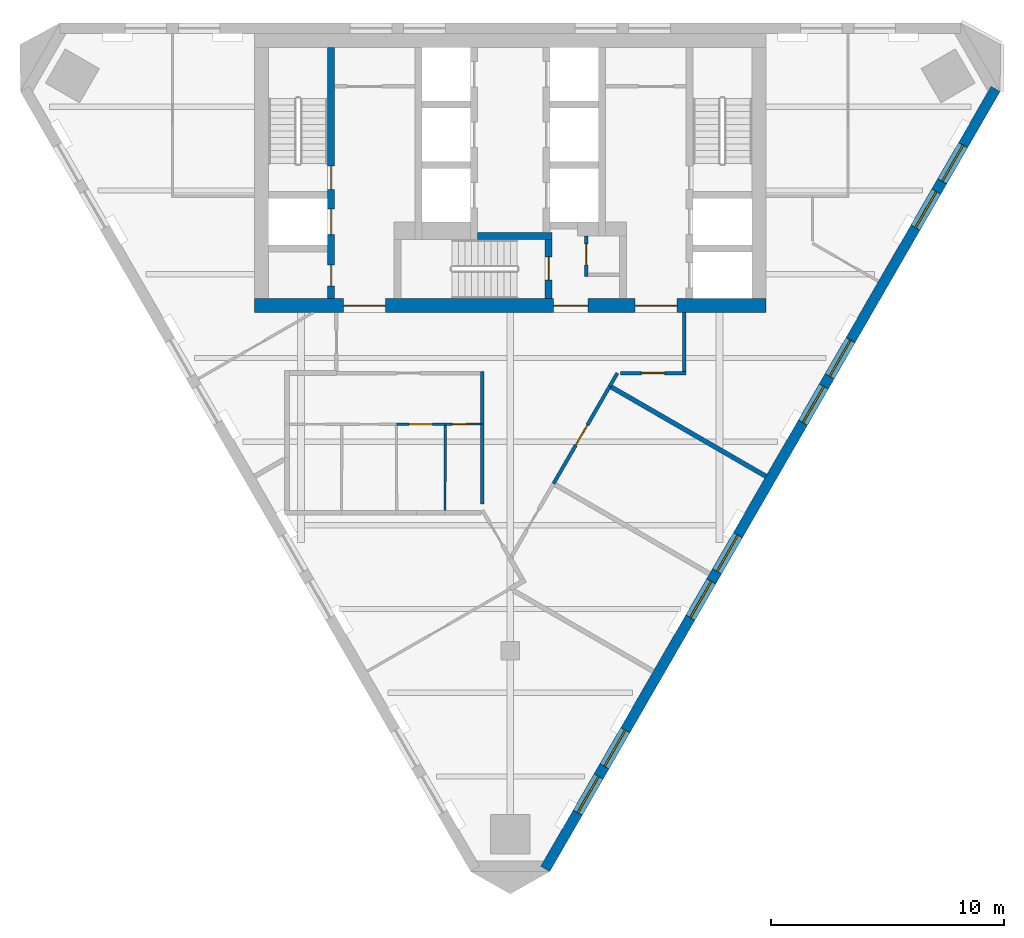
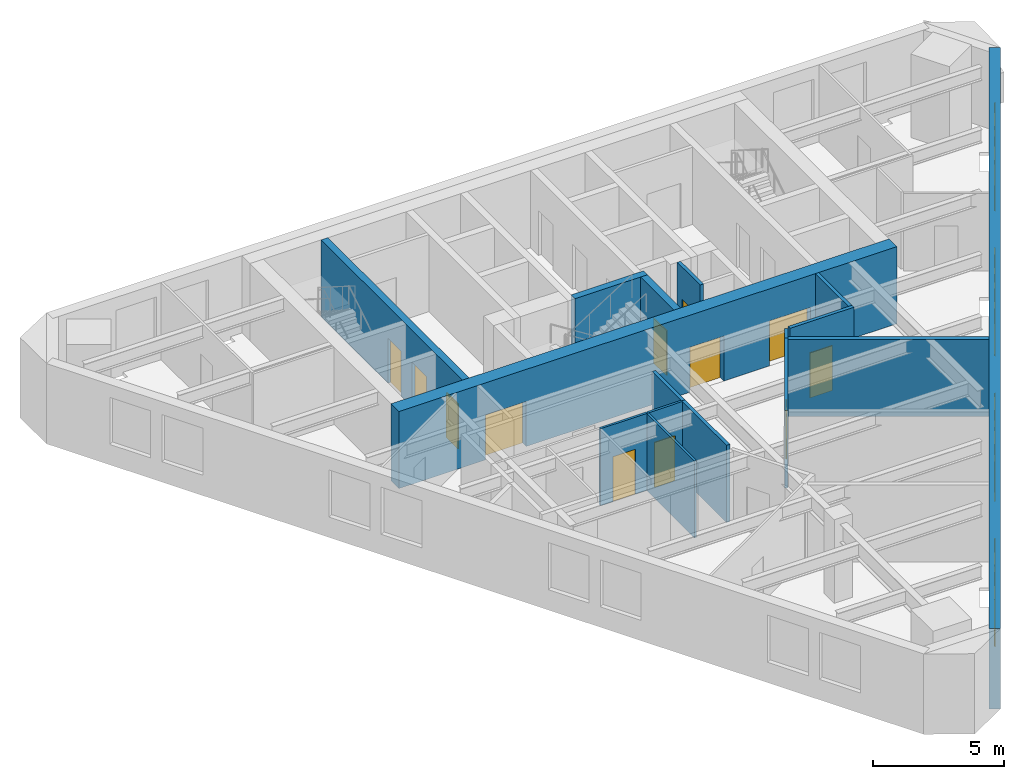
# One storey, part 3 of 6: 16 walls, 12 doors, 8 windows, 20 openings.
"""IFC4 building model written with IfcOpenShell, lengths in metres."""

from ifc_helpers import new_model, si_unit, direction, frame, frame_2d, origin, place, context, subcontext, project, spatial, polyline, rectangle, outline, extrude, material, layer, layer_set, type_object, element, fill, save


model = new_model("IFC4")

# Units and contexts
model_context = context("Model", 3, precision=1e-05, world=origin(), true_north=direction((0.0, 1.0)))
body_context = subcontext(model_context, "Body", "Model", "MODEL_VIEW")
ifc_project = project(units=[si_unit("LENGTHUNIT", "METRE"), si_unit("AREAUNIT", "SQUARE_METRE"), si_unit("VOLUMEUNIT", "CUBIC_METRE"), si_unit("PLANEANGLEUNIT", "RADIAN"), si_unit("MASSUNIT", "GRAM", prefix="KILO")], contexts=[model_context])

# Site, building, storey
site_placement = place(None, origin())
site = spatial("IfcSite", under=ifc_project, at=site_placement, CompositionType="ELEMENT")
building_placement = place(site_placement, origin())
building = spatial("IfcBuilding", under=site, at=building_placement, Name="Aloe Facet Convention Tower", CompositionType="ELEMENT")
storey_placement = place(building_placement, frame((0.0, 0.0, 223.10009765625)))
storey = spatial("IfcBuildingStorey", under=building, at=storey_placement, Name="L56", CompositionType="ELEMENT", Elevation=223.10009765625)

# Wall, opening, door
ifc_material_1 = material(Name="Concrete blockwork partition", Category="masonry")
ifc_layer_1 = layer(ifc_material_1, 0.14990234375)
ifc_layer_set_1 = layer_set([ifc_layer_1], Name="CR-W-PART150")
wall_type_1 = type_object("IfcWallType", Name="CR-W-PART150", PredefinedType="PARTITIONING", material=ifc_layer_set_1)
wall_1_placement = place(storey_placement, frame((83.27490234375, 125.85009765625, 0.0), z_axis=(0.0, 0.0, 1.0), x_axis=(0.0, -1.0, 0.0)))
wall_1 = element("IfcWall", 1, at=wall_1_placement, inside=storey, type_object=wall_type_1, Name="Core partition L56-022", PredefinedType="PARTITIONING", context=body_context, shape_type="SweptSolid", body=[
    extrude(rectangle(XDim=1.75, YDim=0.14990234375, at=frame_2d((0.875, 0.0))), origin(), (0.0, 0.0, 1.0), 3.599853515625),
])
opening_1_placement = place(wall_1_placement, frame((0.35009765625, 0.0, 0.0)))
opening_1 = element("IfcOpeningElement", 2, at=opening_1_placement, cuts=wall_1, Name="Opening L56-CD12", PredefinedType="OPENING", context=body_context, shape_type="SweptSolid", body=[
    extrude(rectangle(XDim=0.89990234375, YDim=2.10009765625, at=frame_2d((0.449951171875, 1.050048828125))), frame((0.0, 0.0849609375, 0.0), z_axis=(0.0, -1.0, 0.0), x_axis=(1.0, 0.0, 0.0)), (0.0, 0.0, 1.0), 0.169921875),
])
ifc_material_2 = material(Name="Steel fire-resisting door set FD60", Category="steel")
door_type_1 = type_object("IfcDoorType", Name="CR-D-REFUGE-900-FD60-SRIGHT", OperationType="SINGLE_SWING_RIGHT", PredefinedType="DOOR", material=ifc_material_2)
door_1_placement = place(opening_1_placement, origin())
door_1 = element("IfcDoor", 3, at=door_1_placement, inside=storey, type_object=door_type_1, Name="Core door L56-CD12", OperationType="SINGLE_SWING_RIGHT", OverallHeight=2.10009765625, OverallWidth=0.89990234375, PredefinedType="DOOR", context=body_context, shape_type="SweptSolid", body=[
    extrude(rectangle(XDim=0.89990234375, YDim=2.10009765625, at=frame_2d((0.449951171875, 1.050048828125))), frame((0.0, 0.02490234375, 0.0), z_axis=(0.0, -1.0, 0.0), x_axis=(1.0, 0.0, 0.0)), (0.0, 0.0, 1.0), 0.050048828125),
])
fill(opening_1, door_1)

# Wall, openings, doors
ifc_material_3 = material(Name="Concrete C50/60", Category="concrete")
ifc_layer_2 = layer(ifc_material_3, 0.300048828125)
ifc_layer_set_2 = layer_set([ifc_layer_2], Name="CR-W-RC300-C5060")
wall_type_2 = type_object("IfcWallType", Name="CR-W-RC300-C5060", PredefinedType="SOLIDWALL", material=ifc_layer_set_2)
wall_2_placement = place(storey_placement, frame((72.300048828125, 133.949951171875, 0.0), z_axis=(0.0, 0.0, 1.0), x_axis=(0.0, -1.0, 0.0)))
wall_2 = element("IfcWall", 4, at=wall_2_placement, inside=storey, type_object=wall_type_2, Name="Core wall L56-006", PredefinedType="SOLIDWALL", context=body_context, shape_type="SweptSolid", body=[
    extrude(rectangle(XDim=10.800048828125, YDim=0.300048828125, at=frame_2d((5.39990234375, 0.0))), origin(), (0.0, 0.0, 1.0), 3.599853515625),
])
opening_2_placement = place(wall_2_placement, frame((6.949951171875, 0.0, 0.0)))
opening_2 = element("IfcOpeningElement", 5, at=opening_2_placement, cuts=wall_2, Name="Opening LD-FF1-L56", PredefinedType="OPENING", context=body_context, shape_type="SweptSolid", body=[
    extrude(rectangle(XDim=1.10009765625, YDim=2.10009765625, at=frame_2d((0.550048828125, 1.050048828125))), frame((0.0, 0.16015625, 0.0), z_axis=(0.0, -1.0, 0.0), x_axis=(1.0, 0.0, 0.0)), (0.0, 0.0, 1.0), 0.320068359375),
])
opening_3_placement = place(wall_2_placement, frame((9.35009765625, 0.0, 0.0)))
opening_3 = element("IfcOpeningElement", 6, at=opening_3_placement, cuts=wall_2, Name="Opening L56-CD15", PredefinedType="OPENING", context=body_context, shape_type="SweptSolid", body=[
    extrude(rectangle(XDim=0.89990234375, YDim=2.10009765625, at=frame_2d((0.449951171875, 1.050048828125))), frame((0.0, 0.16015625, 0.0), z_axis=(0.0, -1.0, 0.0), x_axis=(1.0, 0.0, 0.0)), (0.0, 0.0, 1.0), 0.320068359375),
])
opening_4_placement = place(wall_2_placement, frame((5.10009765625, 0.0, 0.0)))
opening_4 = element("IfcOpeningElement", 7, at=opening_4_placement, cuts=wall_2, Name="Opening L56-CD16", PredefinedType="OPENING", context=body_context, shape_type="SweptSolid", body=[
    extrude(rectangle(XDim=1.0, YDim=2.10009765625, at=frame_2d((0.5, 1.050048828125))), frame((0.0, 0.16015625, 0.0), z_axis=(0.0, -1.0, 0.0), x_axis=(1.0, 0.0, 0.0)), (0.0, 0.0, 1.0), 0.320068359375),
])
ifc_material_4 = material(Name="Steel fire-resisting door set FD60", Category="steel")
door_type_2 = type_object("IfcDoorType", Name="CR-D-ROOM-900-FD60-SLEFT", OperationType="SINGLE_SWING_LEFT", PredefinedType="DOOR", material=ifc_material_4)
door_2_placement = place(opening_3_placement, origin())
door_2 = element("IfcDoor", 8, at=door_2_placement, inside=storey, type_object=door_type_2, Name="Core door L56-CD15", OperationType="SINGLE_SWING_LEFT", OverallHeight=2.10009765625, OverallWidth=0.89990234375, PredefinedType="DOOR", context=body_context, shape_type="SweptSolid", body=[
    extrude(rectangle(XDim=0.89990234375, YDim=2.10009765625, at=frame_2d((0.449951171875, 1.050048828125))), frame((0.0, 0.02490234375, 0.0), z_axis=(0.0, -1.0, 0.0), x_axis=(1.0, 0.0, 0.0)), (0.0, 0.0, 1.0), 0.050048828125),
])
fill(opening_3, door_2)
ifc_material_5 = material(Name="Steel fire-resisting door set FD120", Category="steel")
door_type_3 = type_object("IfcDoorType", Name="CR-D-STAIR-1000-FD120-SRIGHT", OperationType="SINGLE_SWING_RIGHT", PredefinedType="DOOR", material=ifc_material_5)
door_3_placement = place(opening_4_placement, origin())
door_3 = element("IfcDoor", 9, at=door_3_placement, inside=storey, type_object=door_type_3, Name="Core door L56-CD16", OperationType="SINGLE_SWING_RIGHT", OverallHeight=2.10009765625, OverallWidth=1.0, PredefinedType="DOOR", context=body_context, shape_type="SweptSolid", body=[
    extrude(rectangle(XDim=1.0, YDim=2.10009765625, at=frame_2d((0.5, 1.050048828125))), frame((0.0, 0.02490234375, 0.0), z_axis=(0.0, -1.0, 0.0), x_axis=(1.0, 0.0, 0.0)), (0.0, 0.0, 1.0), 0.050048828125),
])
fill(opening_4, door_3)
ifc_material_6 = material(Name="Stainless steel sliding landing door", Category="steel")
door_type_4 = type_object("IfcDoorType", Name="CR-LD-1100-FD120-_LEFT", OperationType="SLIDING_TO_LEFT", PredefinedType="DOOR", material=ifc_material_6)
door_4_placement = place(opening_2_placement, origin())
door_4 = element("IfcDoor", 10, at=door_4_placement, inside=storey, type_object=door_type_4, Name="Landing door FF1 L56", OperationType="SLIDING_TO_LEFT", OverallHeight=2.10009765625, OverallWidth=1.10009765625, PredefinedType="DOOR", context=body_context, shape_type="SweptSolid", body=[
    extrude(rectangle(XDim=1.10009765625, YDim=2.10009765625, at=frame_2d((0.550048828125, 1.050048828125))), frame((0.0, 0.02490234375, 0.0), z_axis=(0.0, -1.0, 0.0), x_axis=(1.0, 0.0, 0.0)), (0.0, 0.0, 1.0), 0.050048828125),
])
fill(opening_2, door_4)

# Wall
wall_3_placement = place(storey_placement, frame((78.60009765625, 125.85009765625, 0.0), z_axis=(0.0, 0.0, 1.0), x_axis=(1.0, 0.0, 0.0)))
element("IfcWall", 11, at=wall_3_placement, inside=storey, type_object=wall_type_2, Name="Core wall L56-015", PredefinedType="SOLIDWALL", context=body_context, shape_type="SweptSolid", body=[
    extrude(rectangle(XDim=3.199951171875, YDim=0.300048828125, at=frame_2d((1.60009765625, 0.0))), origin(), (0.0, 0.0, 1.0), 3.599853515625),
])

# Wall, opening, door
wall_4_placement = place(storey_placement, frame((81.64990234375, 125.699951171875, 0.0), z_axis=(0.0, 0.0, 1.0), x_axis=(0.0, -1.0, 0.0)))
wall_4 = element("IfcWall", 12, at=wall_4_placement, inside=storey, type_object=wall_type_2, Name="Core wall L56-017", PredefinedType="SOLIDWALL", context=body_context, shape_type="SweptSolid", body=[
    extrude(rectangle(XDim=2.550048828125, YDim=0.300048828125, at=frame_2d((1.27490234375, 0.0))), origin(), (0.0, 0.0, 1.0), 3.599853515625),
])
opening_5_placement = place(wall_4_placement, frame((0.75, 0.0, 0.0)))
opening_5 = element("IfcOpeningElement", 13, at=opening_5_placement, cuts=wall_4, Name="Opening L56-CD18", PredefinedType="OPENING", context=body_context, shape_type="SweptSolid", body=[
    extrude(rectangle(XDim=1.0, YDim=2.10009765625, at=frame_2d((0.5, 1.050048828125))), frame((0.0, 0.16015625, 0.0), z_axis=(0.0, -1.0, 0.0), x_axis=(1.0, 0.0, 0.0)), (0.0, 0.0, 1.0), 0.320068359375),
])
ifc_material_7 = material(Name="Steel fire-resisting door set FD120", Category="steel")
door_type_5 = type_object("IfcDoorType", Name="CR-D-STAIR-1000-FD120-SLEFT", OperationType="SINGLE_SWING_LEFT", PredefinedType="DOOR", material=ifc_material_7)
door_5_placement = place(opening_5_placement, origin())
door_5 = element("IfcDoor", 14, at=door_5_placement, inside=storey, type_object=door_type_5, Name="Core door L56-CD18", OperationType="SINGLE_SWING_LEFT", OverallHeight=2.10009765625, OverallWidth=1.0, PredefinedType="DOOR", context=body_context, shape_type="SweptSolid", body=[
    extrude(rectangle(XDim=1.0, YDim=2.10009765625, at=frame_2d((0.5, 1.050048828125))), frame((0.0, 0.02490234375, 0.0), z_axis=(0.0, -1.0, 0.0), x_axis=(1.0, 0.0, 0.0)), (0.0, 0.0, 1.0), 0.050048828125),
])
fill(opening_5, door_5)

# Wall, openings, doors
ifc_material_8 = material(Name="Concrete C50/60", Category="concrete")
ifc_layer_3 = layer(ifc_material_8, 0.60009765625)
ifc_layer_set_3 = layer_set([ifc_layer_3], Name="CR-W-RC600-C5060")
wall_type_3 = type_object("IfcWallType", Name="CR-W-RC600-C5060", PredefinedType="SOLIDWALL", material=ifc_layer_set_3)
wall_5_placement = place(storey_placement, frame((69.0, 122.85009765625, 0.0), z_axis=(0.0, 0.0, 1.0), x_axis=(1.0, 0.0, 0.0)))
wall_5 = element("IfcWall", 15, at=wall_5_placement, inside=storey, type_object=wall_type_3, Name="Core wall L56-003", PredefinedType="SOLIDWALL", context=body_context, shape_type="SweptSolid", body=[
    extrude(rectangle(XDim=22.0, YDim=0.60009765625, at=frame_2d((11.0, 0.0))), origin(), (0.0, 0.0, 1.0), 3.599853515625),
])
opening_6_placement = place(wall_5_placement, frame((16.375, 0.0, 0.0)))
opening_6 = element("IfcOpeningElement", 16, at=opening_6_placement, cuts=wall_5, Name="Opening L56-CD09", PredefinedType="OPENING", context=body_context, shape_type="SweptSolid", body=[
    extrude(rectangle(XDim=1.800048828125, YDim=2.10009765625, at=frame_2d((0.89990234375, 1.050048828125))), frame((0.0, 0.31005859375, 0.0), z_axis=(0.0, -1.0, 0.0), x_axis=(1.0, 0.0, 0.0)), (0.0, 0.0, 1.0), 0.6201171875),
])
opening_7_placement = place(wall_5_placement, frame((3.824951171875, 0.0, 0.0)))
opening_7 = element("IfcOpeningElement", 17, at=opening_7_placement, cuts=wall_5, Name="Opening L56-CD10", PredefinedType="OPENING", context=body_context, shape_type="SweptSolid", body=[
    extrude(rectangle(XDim=1.800048828125, YDim=2.10009765625, at=frame_2d((0.89990234375, 1.050048828125))), frame((0.0, 0.31005859375, 0.0), z_axis=(0.0, -1.0, 0.0), x_axis=(1.0, 0.0, 0.0)), (0.0, 0.0, 1.0), 0.6201171875),
])
opening_8_placement = place(wall_5_placement, frame((12.85009765625, 0.0, 0.0)))
opening_8 = element("IfcOpeningElement", 18, at=opening_8_placement, cuts=wall_5, Name="Opening L56-CD11", PredefinedType="OPENING", context=body_context, shape_type="SweptSolid", body=[
    extrude(rectangle(XDim=1.5, YDim=2.10009765625, at=frame_2d((0.75, 1.050048828125))), frame((0.0, 0.31005859375, 0.0), z_axis=(0.0, -1.0, 0.0), x_axis=(1.0, 0.0, 0.0)), (0.0, 0.0, 1.0), 0.6201171875),
])
ifc_material_9 = material(Name="Steel fire-resisting door set FD60", Category="steel")
door_type_6 = type_object("IfcDoorType", Name="CR-D-EXIT-1500-FD60-DD", OperationType="DOUBLE_DOOR_DOUBLE_SWING", PredefinedType="DOOR", material=ifc_material_9)
door_6_placement = place(opening_8_placement, origin())
door_6 = element("IfcDoor", 19, at=door_6_placement, inside=storey, type_object=door_type_6, Name="Core door L56-CD11", OperationType="DOUBLE_DOOR_DOUBLE_SWING", OverallHeight=2.10009765625, OverallWidth=1.5, PredefinedType="DOOR", context=body_context, shape_type="SweptSolid", body=[
    extrude(rectangle(XDim=1.5, YDim=2.10009765625, at=frame_2d((0.75, 1.050048828125))), frame((0.0, 0.02490234375, 0.0), z_axis=(0.0, -1.0, 0.0), x_axis=(1.0, 0.0, 0.0)), (0.0, 0.0, 1.0), 0.050048828125),
])
fill(opening_8, door_6)
ifc_material_10 = material(Name="Steel fire-resisting door set FD120", Category="steel")
door_type_7 = type_object("IfcDoorType", Name="CR-D-EXIT-1800-FD120-DD", OperationType="DOUBLE_DOOR_DOUBLE_SWING", PredefinedType="DOOR", material=ifc_material_10)
door_7_placement = place(opening_6_placement, origin())
door_7 = element("IfcDoor", 20, at=door_7_placement, inside=storey, type_object=door_type_7, Name="Core door L56-CD09", OperationType="DOUBLE_DOOR_DOUBLE_SWING", OverallHeight=2.10009765625, OverallWidth=1.800048828125, PredefinedType="DOOR", context=body_context, shape_type="SweptSolid", body=[
    extrude(rectangle(XDim=1.800048828125, YDim=2.10009765625, at=frame_2d((0.89990234375, 1.050048828125))), frame((0.0, 0.02490234375, 0.0), z_axis=(0.0, -1.0, 0.0), x_axis=(1.0, 0.0, 0.0)), (0.0, 0.0, 1.0), 0.050048828125),
])
fill(opening_6, door_7)
door_8_placement = place(opening_7_placement, origin())
door_8 = element("IfcDoor", 21, at=door_8_placement, inside=storey, type_object=door_type_7, Name="Core door L56-CD10", OperationType="DOUBLE_DOOR_DOUBLE_SWING", OverallHeight=2.10009765625, OverallWidth=1.800048828125, PredefinedType="DOOR", context=body_context, shape_type="SweptSolid", body=[
    extrude(rectangle(XDim=1.800048828125, YDim=2.10009765625, at=frame_2d((0.89990234375, 1.050048828125))), frame((0.0, 0.02490234375, 0.0), z_axis=(0.0, -1.0, 0.0), x_axis=(1.0, 0.0, 0.0)), (0.0, 0.0, 1.0), 0.050048828125),
])
fill(opening_7, door_8)

# Wall, openings, windows
ifc_material_11 = material(Name="Precast concrete C40/50", Category="concrete")
ifc_layer_4 = layer(ifc_material_11, 0.449951171875)
ifc_layer_set_4 = layer_set([ifc_layer_4], Name="EV-WALL-STONE")
wall_type_4 = type_object("IfcWallType", Name="EV-WALL-STONE", PredefinedType="SOLIDWALL", material=ifc_layer_set_4)
wall_6_placement = place(storey_placement, frame((81.505126953125, 98.62744140625, -0.150146484375), z_axis=(0.0, 0.0, 1.0), x_axis=(0.500002199942, 0.866024133644, 0.0)))
wall_6 = element("IfcWall", 22, at=wall_6_placement, inside=storey, type_object=wall_type_4, Name="EW-L56-E01", PredefinedType="SOLIDWALL", context=body_context, shape_type="SweptSolid", body=[
    extrude(outline(polyline([(38.729248046875, 0.0), (38.729248046875, 3.75), (0.0, 3.75), (0.0, 0.0), (38.729248046875, 0.0)])), frame((0.0, 0.22509765625, 0.0), z_axis=(0.0, -1.0, 0.0), x_axis=(1.0, 0.0, 0.0)), (0.0, 0.0, 1.0), 0.449951171875),
])
opening_9_placement = place(wall_6_placement, frame((2.791259765625, 0.0, 0.949951171875)))
opening_9 = element("IfcOpeningElement", 23, at=opening_9_placement, cuts=wall_6, Name="Opening W-L56-E01", PredefinedType="OPENING", context=body_context, shape_type="SweptSolid", body=[
    extrude(rectangle(XDim=1.800048828125, YDim=2.199951171875, at=frame_2d((0.89990234375, 1.10009765625))), frame((0.0, 0.23486328125, 0.0), z_axis=(0.0, -1.0, 0.0), x_axis=(1.0, 0.0, 0.0)), (0.0, 0.0, 1.0), 0.469970703125),
])
opening_10_placement = place(wall_6_placement, frame((5.091064453125, 0.0, 0.949951171875)))
opening_10 = element("IfcOpeningElement", 24, at=opening_10_placement, cuts=wall_6, Name="Opening W-L56-E02", PredefinedType="OPENING", context=body_context, shape_type="SweptSolid", body=[
    extrude(rectangle(XDim=1.800048828125, YDim=2.199951171875, at=frame_2d((0.89990234375, 1.10009765625))), frame((0.0, 0.23486328125, 0.0), z_axis=(0.0, -1.0, 0.0), x_axis=(1.0, 0.0, 0.0)), (0.0, 0.0, 1.0), 0.469970703125),
])
opening_11_placement = place(wall_6_placement, frame((12.473388671875, 0.0, 0.949951171875)))
opening_11 = element("IfcOpeningElement", 25, at=opening_11_placement, cuts=wall_6, Name="Opening W-L56-E03", PredefinedType="OPENING", context=body_context, shape_type="SweptSolid", body=[
    extrude(rectangle(XDim=1.800048828125, YDim=2.199951171875, at=frame_2d((0.89990234375, 1.10009765625))), frame((0.0, 0.23486328125, 0.0), z_axis=(0.0, -1.0, 0.0), x_axis=(1.0, 0.0, 0.0)), (0.0, 0.0, 1.0), 0.469970703125),
])
opening_12_placement = place(wall_6_placement, frame((14.7734375, 0.0, 0.949951171875)))
opening_12 = element("IfcOpeningElement", 26, at=opening_12_placement, cuts=wall_6, Name="Opening W-L56-E04", PredefinedType="OPENING", context=body_context, shape_type="SweptSolid", body=[
    extrude(rectangle(XDim=1.800048828125, YDim=2.199951171875, at=frame_2d((0.89990234375, 1.10009765625))), frame((0.0, 0.23486328125, 0.0), z_axis=(0.0, -1.0, 0.0), x_axis=(1.0, 0.0, 0.0)), (0.0, 0.0, 1.0), 0.469970703125),
])
opening_13_placement = place(wall_6_placement, frame((22.15576171875, 0.0, 0.949951171875)))
opening_13 = element("IfcOpeningElement", 27, at=opening_13_placement, cuts=wall_6, Name="Opening W-L56-E05", PredefinedType="OPENING", context=body_context, shape_type="SweptSolid", body=[
    extrude(rectangle(XDim=1.800048828125, YDim=2.199951171875, at=frame_2d((0.89990234375, 1.10009765625))), frame((0.0, 0.23486328125, 0.0), z_axis=(0.0, -1.0, 0.0), x_axis=(1.0, 0.0, 0.0)), (0.0, 0.0, 1.0), 0.469970703125),
])
opening_14_placement = place(wall_6_placement, frame((24.455810546875, 0.0, 0.949951171875)))
opening_14 = element("IfcOpeningElement", 28, at=opening_14_placement, cuts=wall_6, Name="Opening W-L56-E06", PredefinedType="OPENING", context=body_context, shape_type="SweptSolid", body=[
    extrude(rectangle(XDim=1.800048828125, YDim=2.199951171875, at=frame_2d((0.89990234375, 1.10009765625))), frame((0.0, 0.23486328125, 0.0), z_axis=(0.0, -1.0, 0.0), x_axis=(1.0, 0.0, 0.0)), (0.0, 0.0, 1.0), 0.469970703125),
])
opening_15_placement = place(wall_6_placement, frame((31.838134765625, 0.0, 0.949951171875)))
opening_15 = element("IfcOpeningElement", 29, at=opening_15_placement, cuts=wall_6, Name="Opening W-L56-E07", PredefinedType="OPENING", context=body_context, shape_type="SweptSolid", body=[
    extrude(rectangle(XDim=1.800048828125, YDim=2.199951171875, at=frame_2d((0.89990234375, 1.10009765625))), frame((0.0, 0.23486328125, 0.0), z_axis=(0.0, -1.0, 0.0), x_axis=(1.0, 0.0, 0.0)), (0.0, 0.0, 1.0), 0.469970703125),
])
opening_16_placement = place(wall_6_placement, frame((34.13818359375, 0.0, 0.949951171875)))
opening_16 = element("IfcOpeningElement", 30, at=opening_16_placement, cuts=wall_6, Name="Opening W-L56-E08", PredefinedType="OPENING", context=body_context, shape_type="SweptSolid", body=[
    extrude(rectangle(XDim=1.800048828125, YDim=2.199951171875, at=frame_2d((0.89990234375, 1.10009765625))), frame((0.0, 0.23486328125, 0.0), z_axis=(0.0, -1.0, 0.0), x_axis=(1.0, 0.0, 0.0)), (0.0, 0.0, 1.0), 0.469970703125),
])
ifc_material_12 = material(Name="Aluminium frame, clear double glazing", Category="aluminium")
window_type = type_object("IfcWindowType", Name="EV-WIN-O18", PartitioningType="SINGLE_PANEL", PredefinedType="WINDOW", material=ifc_material_12)
window_1_placement = place(opening_9_placement, origin())
window_1 = element("IfcWindow", 31, at=window_1_placement, inside=storey, type_object=window_type, Name="W-L56-E01", OverallHeight=2.199951171875, OverallWidth=1.800048828125, PartitioningType="SINGLE_PANEL", PredefinedType="WINDOW", context=body_context, shape_type="SweptSolid", body=[
    extrude(rectangle(XDim=1.800048828125, YDim=2.199951171875, at=frame_2d((0.89990234375, 1.10009765625))), frame((0.0, 0.030029296875, 0.0), z_axis=(0.0, -1.0, 0.0), x_axis=(1.0, 0.0, 0.0)), (0.0, 0.0, 1.0), 0.06005859375),
])
fill(opening_9, window_1)
window_2_placement = place(opening_10_placement, origin())
window_2 = element("IfcWindow", 32, at=window_2_placement, inside=storey, type_object=window_type, Name="W-L56-E02", OverallHeight=2.199951171875, OverallWidth=1.800048828125, PartitioningType="SINGLE_PANEL", PredefinedType="WINDOW", context=body_context, shape_type="SweptSolid", body=[
    extrude(rectangle(XDim=1.800048828125, YDim=2.199951171875, at=frame_2d((0.89990234375, 1.10009765625))), frame((0.0, 0.030029296875, 0.0), z_axis=(0.0, -1.0, 0.0), x_axis=(1.0, 0.0, 0.0)), (0.0, 0.0, 1.0), 0.06005859375),
])
fill(opening_10, window_2)
window_3_placement = place(opening_11_placement, origin())
window_3 = element("IfcWindow", 33, at=window_3_placement, inside=storey, type_object=window_type, Name="W-L56-E03", OverallHeight=2.199951171875, OverallWidth=1.800048828125, PartitioningType="SINGLE_PANEL", PredefinedType="WINDOW", context=body_context, shape_type="SweptSolid", body=[
    extrude(rectangle(XDim=1.800048828125, YDim=2.199951171875, at=frame_2d((0.89990234375, 1.10009765625))), frame((0.0, 0.030029296875, 0.0), z_axis=(0.0, -1.0, 0.0), x_axis=(1.0, 0.0, 0.0)), (0.0, 0.0, 1.0), 0.06005859375),
])
fill(opening_11, window_3)
window_4_placement = place(opening_12_placement, origin())
window_4 = element("IfcWindow", 34, at=window_4_placement, inside=storey, type_object=window_type, Name="W-L56-E04", OverallHeight=2.199951171875, OverallWidth=1.800048828125, PartitioningType="SINGLE_PANEL", PredefinedType="WINDOW", context=body_context, shape_type="SweptSolid", body=[
    extrude(rectangle(XDim=1.800048828125, YDim=2.199951171875, at=frame_2d((0.89990234375, 1.10009765625))), frame((0.0, 0.030029296875, 0.0), z_axis=(0.0, -1.0, 0.0), x_axis=(1.0, 0.0, 0.0)), (0.0, 0.0, 1.0), 0.06005859375),
])
fill(opening_12, window_4)
window_5_placement = place(opening_13_placement, origin())
window_5 = element("IfcWindow", 35, at=window_5_placement, inside=storey, type_object=window_type, Name="W-L56-E05", OverallHeight=2.199951171875, OverallWidth=1.800048828125, PartitioningType="SINGLE_PANEL", PredefinedType="WINDOW", context=body_context, shape_type="SweptSolid", body=[
    extrude(rectangle(XDim=1.800048828125, YDim=2.199951171875, at=frame_2d((0.89990234375, 1.10009765625))), frame((0.0, 0.030029296875, 0.0), z_axis=(0.0, -1.0, 0.0), x_axis=(1.0, 0.0, 0.0)), (0.0, 0.0, 1.0), 0.06005859375),
])
fill(opening_13, window_5)
window_6_placement = place(opening_14_placement, origin())
window_6 = element("IfcWindow", 36, at=window_6_placement, inside=storey, type_object=window_type, Name="W-L56-E06", OverallHeight=2.199951171875, OverallWidth=1.800048828125, PartitioningType="SINGLE_PANEL", PredefinedType="WINDOW", context=body_context, shape_type="SweptSolid", body=[
    extrude(rectangle(XDim=1.800048828125, YDim=2.199951171875, at=frame_2d((0.89990234375, 1.10009765625))), frame((0.0, 0.030029296875, 0.0), z_axis=(0.0, -1.0, 0.0), x_axis=(1.0, 0.0, 0.0)), (0.0, 0.0, 1.0), 0.06005859375),
])
fill(opening_14, window_6)
window_7_placement = place(opening_15_placement, origin())
window_7 = element("IfcWindow", 37, at=window_7_placement, inside=storey, type_object=window_type, Name="W-L56-E07", OverallHeight=2.199951171875, OverallWidth=1.800048828125, PartitioningType="SINGLE_PANEL", PredefinedType="WINDOW", context=body_context, shape_type="SweptSolid", body=[
    extrude(rectangle(XDim=1.800048828125, YDim=2.199951171875, at=frame_2d((0.89990234375, 1.10009765625))), frame((0.0, 0.030029296875, 0.0), z_axis=(0.0, -1.0, 0.0), x_axis=(1.0, 0.0, 0.0)), (0.0, 0.0, 1.0), 0.06005859375),
])
fill(opening_15, window_7)
window_8_placement = place(opening_16_placement, origin())
window_8 = element("IfcWindow", 38, at=window_8_placement, inside=storey, type_object=window_type, Name="W-L56-E08", OverallHeight=2.199951171875, OverallWidth=1.800048828125, PartitioningType="SINGLE_PANEL", PredefinedType="WINDOW", context=body_context, shape_type="SweptSolid", body=[
    extrude(rectangle(XDim=1.800048828125, YDim=2.199951171875, at=frame_2d((0.89990234375, 1.10009765625))), frame((0.0, 0.030029296875, 0.0), z_axis=(0.0, -1.0, 0.0), x_axis=(1.0, 0.0, 0.0)), (0.0, 0.0, 1.0), 0.06005859375),
])
fill(opening_16, window_8)

# Walls
ifc_material_13 = material(Name="Gypsum board partition on steel studs", Category="steel")
ifc_layer_5 = layer(ifc_material_13, 0.14990234375)
ifc_layer_set_5 = layer_set([ifc_layer_5], Name="IN-W-CORR")
wall_type_5 = type_object("IfcWallType", Name="IN-W-CORR", PredefinedType="PARTITIONING", material=ifc_layer_set_5)
wall_7_placement = place(storey_placement, frame((78.800048828125, 114.328857421875, 0.0), z_axis=(0.0, 0.0, 1.0), x_axis=(0.0, 1.0, 0.0)))
element("IfcWall", 39, at=wall_7_placement, inside=storey, type_object=wall_type_5, Name="Partition L56-W013", PredefinedType="PARTITIONING", context=body_context, shape_type="SweptSolid", body=[
    extrude(rectangle(XDim=3.43115234375, YDim=0.14990234375, at=frame_2d((1.715576171875, 0.0))), origin(), (0.0, 0.0, 1.0), 3.599853515625),
])
wall_8_placement = place(storey_placement, frame((78.800048828125, 117.760009765625, 0.0), z_axis=(0.0, 0.0, 1.0), x_axis=(0.0, 1.0, 0.0)))
element("IfcWall", 40, at=wall_8_placement, inside=storey, type_object=wall_type_5, Name="Partition L56-W018", PredefinedType="PARTITIONING", context=body_context, shape_type="SweptSolid", body=[
    extrude(rectangle(XDim=2.262939453125, YDim=0.14990234375, at=frame_2d((1.13134765625, 0.0))), origin(), (0.0, 0.0, 1.0), 3.599853515625),
])

# Wall, opening, door
wall_9_placement = place(storey_placement, frame((81.8603515625, 115.192626953125, 0.0), z_axis=(0.0, 0.0, 1.0), x_axis=(0.500006196252, 0.866021826347, 0.0)))
wall_9 = element("IfcWall", 41, at=wall_9_placement, inside=storey, type_object=wall_type_5, Name="Partition L56-W027", PredefinedType="PARTITIONING", context=body_context, shape_type="SweptSolid", body=[
    extrude(rectangle(XDim=4.84130859375, YDim=0.14990234375, at=frame_2d((2.420654296875, 0.0))), origin(), (0.0, 0.0, 1.0), 3.599853515625),
])
opening_17_placement = place(wall_9_placement, frame((1.920654296875, 0.0, 0.0)))
opening_17 = element("IfcOpeningElement", 42, at=opening_17_placement, cuts=wall_9, Name="Opening L56-012", PredefinedType="OPENING", context=body_context, shape_type="SweptSolid", body=[
    extrude(rectangle(XDim=1.0, YDim=2.10009765625, at=frame_2d((0.5, 1.050048828125))), frame((0.0, 0.0849609375, 0.0), z_axis=(0.0, -1.0, 0.0), x_axis=(1.0, 0.0, 0.0)), (0.0, 0.0, 1.0), 0.169921875),
])
ifc_material_14 = material(Name="Timber door FD30S with vision panel", Category="wood")
door_type_8 = type_object("IfcDoorType", Name="IN-OFF-D-ENTRY", OperationType="SINGLE_SWING_LEFT", PredefinedType="DOOR", material=ifc_material_14)
door_9_placement = place(opening_17_placement, origin())
door_9 = element("IfcDoor", 43, at=door_9_placement, inside=storey, type_object=door_type_8, Name="Door L56-012", OperationType="SINGLE_SWING_LEFT", OverallHeight=2.10009765625, OverallWidth=1.0, PredefinedType="DOOR", context=body_context, shape_type="SweptSolid", body=[
    extrude(rectangle(XDim=1.0, YDim=2.10009765625, at=frame_2d((0.5, 1.050048828125))), frame((0.0, 0.02490234375, 0.0), z_axis=(0.0, -1.0, 0.0), x_axis=(1.0, 0.0, 0.0)), (0.0, 0.0, 1.0), 0.050048828125),
])
fill(opening_17, door_9)

# Wall
wall_10_placement = place(storey_placement, frame((84.281005859375, 119.38525390625, 0.0), z_axis=(0.0, 0.0, 1.0), x_axis=(0.499971370958, 0.866041932139, 0.0)))
element("IfcWall", 44, at=wall_10_placement, inside=storey, type_object=wall_type_5, Name="Partition L56-W029", PredefinedType="PARTITIONING", context=body_context, shape_type="SweptSolid", body=[
    extrude(rectangle(XDim=0.65087890625, YDim=0.14990234375, at=frame_2d((0.325439453125, 0.0))), origin(), (0.0, 0.0, 1.0), 3.599853515625),
])

# Wall, opening, door
wall_11_placement = place(storey_placement, frame((84.736328125, 119.948974609375, 0.0), z_axis=(0.0, 0.0, 1.0), x_axis=(0.999999939771, 0.000347071563, 0.0)))
wall_11 = element("IfcWall", 45, at=wall_11_placement, inside=storey, type_object=wall_type_5, Name="Partition L56-W034", PredefinedType="PARTITIONING", context=body_context, shape_type="SweptSolid", body=[
    extrude(rectangle(XDim=2.813720703125, YDim=0.14990234375, at=frame_2d((1.40673828125, 0.0))), origin(), (0.0, 0.0, 1.0), 3.599853515625),
])
opening_18_placement = place(wall_11_placement, frame((0.90673828125, 0.0, 0.0)))
opening_18 = element("IfcOpeningElement", 46, at=opening_18_placement, cuts=wall_11, Name="Opening L56-013", PredefinedType="OPENING", context=body_context, shape_type="SweptSolid", body=[
    extrude(rectangle(XDim=1.0, YDim=2.10009765625, at=frame_2d((0.5, 1.050048828125))), frame((0.0, 0.0849609375, 0.0), z_axis=(0.0, -1.0, 0.0), x_axis=(1.0, 0.0, 0.0)), (0.0, 0.0, 1.0), 0.169921875),
])
door_10_placement = place(opening_18_placement, origin())
door_10 = element("IfcDoor", 47, at=door_10_placement, inside=storey, type_object=door_type_8, Name="Door L56-013", OperationType="SINGLE_SWING_LEFT", OverallHeight=2.10009765625, OverallWidth=1.0, PredefinedType="DOOR", context=body_context, shape_type="SweptSolid", body=[
    extrude(rectangle(XDim=1.0, YDim=2.10009765625, at=frame_2d((0.5, 1.050048828125))), frame((0.0, 0.02490234375, 0.0), z_axis=(0.0, -1.0, 0.0), x_axis=(1.0, 0.0, 0.0)), (0.0, 0.0, 1.0), 0.050048828125),
])
fill(opening_18, door_10)

# Walls
wall_12_placement = place(storey_placement, frame((87.474853515625, 120.02490234375, 0.0), z_axis=(0.0, 0.0, 1.0), x_axis=(9.6683747e-05, 0.999999995326, 0.0)))
element("IfcWall", 48, at=wall_12_placement, inside=storey, type_object=wall_type_5, Name="Partition L56-W035", PredefinedType="PARTITIONING", context=body_context, shape_type="SweptSolid", body=[
    extrude(rectangle(XDim=2.525146484375, YDim=0.14990234375, at=frame_2d((1.2626953125, 0.0))), origin(), (0.0, 0.0, 1.0), 3.599853515625),
])
ifc_material_15 = material(Name="Gypsum board partition on steel studs", Category="steel")
ifc_layer_6 = layer(ifc_material_15, 0.10009765625)
ifc_layer_set_6 = layer_set([ifc_layer_6], Name="IN-W-PART")
wall_type_6 = type_object("IfcWallType", Name="IN-W-PART", PredefinedType="PARTITIONING", material=ifc_layer_set_6)
wall_13_placement = place(storey_placement, frame((77.1943359375, 114.050048828125, 0.0), z_axis=(0.0, 0.0, 1.0), x_axis=(0.002608686776, 0.999996597371, 0.0)))
element("IfcWall", 49, at=wall_13_placement, inside=storey, type_object=wall_type_6, Name="Partition L56-W023", PredefinedType="PARTITIONING", context=body_context, shape_type="SweptSolid", body=[
    extrude(rectangle(XDim=3.64990234375, YDim=0.10009765625, at=frame_2d((1.824951171875, 0.0))), origin(), (0.0, 0.0, 1.0), 3.599853515625),
])

# Wall, opening, door
wall_14_placement = place(storey_placement, frame((75.10400390625, 117.75, 0.0), z_axis=(0.0, 0.0, 1.0), x_axis=(1.0, 0.0, 0.0)))
wall_14 = element("IfcWall", 50, at=wall_14_placement, inside=storey, type_object=wall_type_6, Name="Partition L56-W024", PredefinedType="PARTITIONING", context=body_context, shape_type="SweptSolid", body=[
    extrude(rectangle(XDim=2.10009765625, YDim=0.10009765625, at=frame_2d((1.050048828125, 0.0))), origin(), (0.0, 0.0, 1.0), 3.599853515625),
])
opening_19_placement = place(wall_14_placement, frame((0.550048828125, 0.0, 0.0)))
opening_19 = element("IfcOpeningElement", 51, at=opening_19_placement, cuts=wall_14, Name="Opening L56-004", PredefinedType="OPENING", context=body_context, shape_type="SweptSolid", body=[
    extrude(rectangle(XDim=1.0, YDim=2.10009765625, at=frame_2d((0.5, 1.050048828125))), frame((0.0, 0.06005859375, 0.0), z_axis=(0.0, -1.0, 0.0), x_axis=(1.0, 0.0, 0.0)), (0.0, 0.0, 1.0), 0.1201171875),
])
ifc_material_16 = material(Name="Timber door", Category="wood")
door_type_9 = type_object("IfcDoorType", Name="IN-OFF-D-WIDE", OperationType="SINGLE_SWING_LEFT", PredefinedType="DOOR", material=ifc_material_16)
door_11_placement = place(opening_19_placement, origin())
door_11 = element("IfcDoor", 52, at=door_11_placement, inside=storey, type_object=door_type_9, Name="Door L56-004", OperationType="SINGLE_SWING_LEFT", OverallHeight=2.10009765625, OverallWidth=1.0, PredefinedType="DOOR", context=body_context, shape_type="SweptSolid", body=[
    extrude(rectangle(XDim=1.0, YDim=2.10009765625, at=frame_2d((0.5, 1.050048828125))), frame((0.0, 0.02490234375, 0.0), z_axis=(0.0, -1.0, 0.0), x_axis=(1.0, 0.0, 0.0)), (0.0, 0.0, 1.0), 0.050048828125),
])
fill(opening_19, door_11)

wall_15_placement = place(storey_placement, frame((77.2041015625, 117.75, 0.0), z_axis=(0.0, 0.0, 1.0), x_axis=(0.999980406575, 0.006259909447, 0.0)))
wall_15 = element("IfcWall", 53, at=wall_15_placement, inside=storey, type_object=wall_type_6, Name="Partition L56-W025", PredefinedType="PARTITIONING", context=body_context, shape_type="SweptSolid", body=[
    extrude(rectangle(XDim=1.52099609375, YDim=0.10009765625, at=frame_2d((0.760498046875, 0.0))), origin(), (0.0, 0.0, 1.0), 3.599853515625),
])
opening_20_placement = place(wall_15_placement, frame((0.310546875, 0.0, 0.0)))
opening_20 = element("IfcOpeningElement", 54, at=opening_20_placement, cuts=wall_15, Name="Opening L56-005", PredefinedType="OPENING", context=body_context, shape_type="SweptSolid", body=[
    extrude(rectangle(XDim=0.89990234375, YDim=2.10009765625, at=frame_2d((0.449951171875, 1.050048828125))), frame((0.0, 0.06005859375, 0.0), z_axis=(0.0, -1.0, 0.0), x_axis=(1.0, 0.0, 0.0)), (0.0, 0.0, 1.0), 0.1201171875),
])
ifc_material_17 = material(Name="Timber door", Category="wood")
door_type_10 = type_object("IfcDoorType", Name="IN-OFF-D-ROOM", OperationType="SINGLE_SWING_LEFT", PredefinedType="DOOR", material=ifc_material_17)
door_12_placement = place(opening_20_placement, origin())
door_12 = element("IfcDoor", 55, at=door_12_placement, inside=storey, type_object=door_type_10, Name="Door L56-005", OperationType="SINGLE_SWING_LEFT", OverallHeight=2.10009765625, OverallWidth=0.89990234375, PredefinedType="DOOR", context=body_context, shape_type="SweptSolid", body=[
    extrude(rectangle(XDim=0.89990234375, YDim=2.10009765625, at=frame_2d((0.449951171875, 1.050048828125))), frame((0.0, 0.02490234375, 0.0), z_axis=(0.0, -1.0, 0.0), x_axis=(1.0, 0.0, 0.0)), (0.0, 0.0, 1.0), 0.050048828125),
])
fill(opening_20, door_12)

# Wall
ifc_material_18 = material(Name="Gypsum board partition on steel studs", Category="steel")
ifc_layer_7 = layer(ifc_material_18, 0.199951171875)
ifc_layer_set_7 = layer_set([ifc_layer_7], Name="IN-W-PARTY")
wall_type_7 = type_object("IfcWallType", Name="IN-W-PARTY", PredefinedType="PARTITIONING", material=ifc_layer_set_7)
wall_16_placement = place(storey_placement, frame((84.345947265625, 119.34765625, 0.0), z_axis=(0.0, 0.0, 1.0), x_axis=(0.866030377306, -0.499991385509, 0.0)))
element("IfcWall", 56, at=wall_16_placement, inside=storey, type_object=wall_type_7, Name="Partition L56-W016", PredefinedType="PARTITIONING", context=body_context, shape_type="SweptSolid", body=[
    extrude(rectangle(XDim=7.675048828125, YDim=0.199951171875, at=frame_2d((3.83740234375, 0.0))), origin(), (0.0, 0.0, 1.0), 3.599853515625),
])

save(model, "model.ifc")
